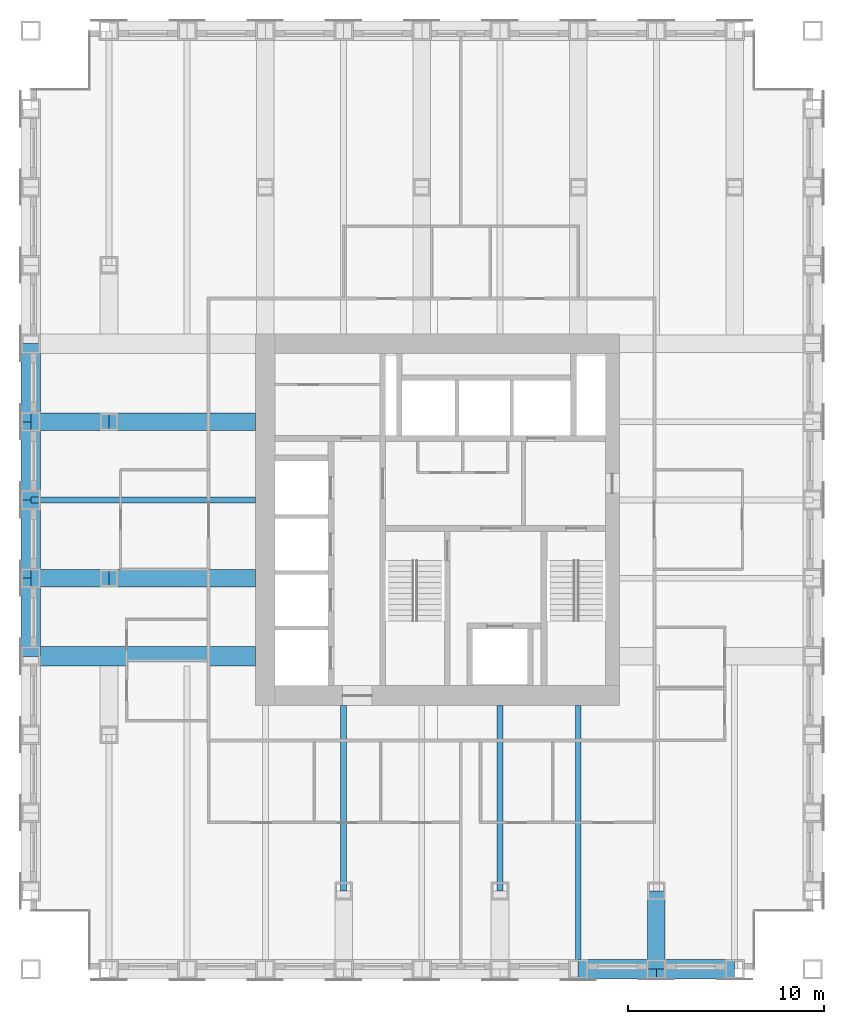
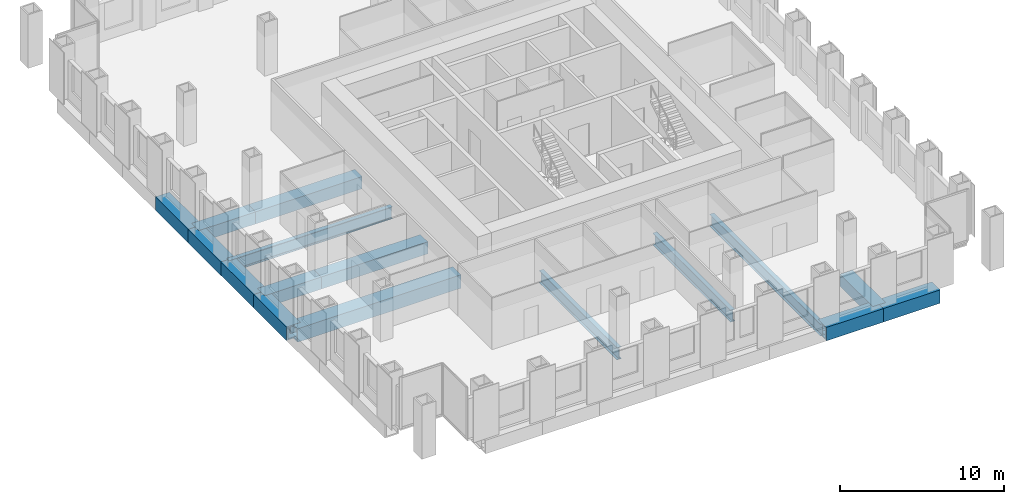
# One storey, part 3 of 12: 16 beams.
"""IFC4 building model written with IfcOpenShell, lengths in metres."""

from ifc_helpers import new_model, si_unit, direction, frame, origin, origin_2d, place, context, subcontext, project, spatial, hollow_rectangle, i_section, extrude, material, material_profile, profile_set, type_object, element, save


model = new_model("IFC4")

# Units and contexts
model_context = context("Model", 3, precision=1e-05, world=origin(), true_north=direction((0.0, 1.0)))
body_context = subcontext(model_context, "Body", "Model", "MODEL_VIEW")
ifc_project = project(units=[si_unit("LENGTHUNIT", "METRE"), si_unit("AREAUNIT", "SQUARE_METRE"), si_unit("VOLUMEUNIT", "CUBIC_METRE"), si_unit("PLANEANGLEUNIT", "RADIAN"), si_unit("MASSUNIT", "GRAM", prefix="KILO")], contexts=[model_context])

# Site, building, storey
site_placement = place(None, origin())
site = spatial("IfcSite", under=ifc_project, at=site_placement, CompositionType="ELEMENT")
building_placement = place(site_placement, origin())
building = spatial("IfcBuilding", under=site, at=building_placement, Name="Rimbunsela Tower", CompositionType="ELEMENT")
storey_placement = place(building_placement, frame((0.0, 0.0, 155.800048828125)))
storey = spatial("IfcBuildingStorey", under=building, at=storey_placement, Name="L37", CompositionType="ELEMENT", Elevation=155.800048828125)

# Beams
ifc_material_1 = material(Name="Steel BJ 55 (fy 410 MPa)", Category="steel")
ifc_material_profile_1 = material_profile(ifc_material_1, hollow_rectangle(XDim=1.0, YDim=1.0, WallThickness=0.10009765625, at=origin_2d()), Name="BOX 1000x1000x100")
ifc_profile_set_1 = profile_set([ifc_material_profile_1], Name="Steel BJ 55 (fy 410 MPa)")
beam_type_1 = type_object("IfcBeamType", Name="Beam BOX 1000x1000x100", PredefinedType="BEAM", material=ifc_profile_set_1)
beam_1_placement = place(storey_placement, frame((6.0, 20.0, -0.650146484375), z_axis=(0.0, 1.0, 0.0), x_axis=(-1.0, 0.0, 0.0)))
element("IfcBeam", 1, at=beam_1_placement, inside=storey, type_object=beam_type_1, Name="Beam B3 L37", PredefinedType="BEAM", context=body_context, shape_type="SweptSolid", body=[
    extrude(hollow_rectangle(XDim=1.0, YDim=1.0, WallThickness=0.10009765625, at=origin_2d()), origin(), (0.0, 0.0, 1.0), 4.0),
])
beam_2_placement = place(storey_placement, frame((6.0, 20.0, -0.650146484375), z_axis=(1.0, 0.0, 0.0), x_axis=(0.0, 1.0, 0.0)))
element("IfcBeam", 2, at=beam_2_placement, inside=storey, type_object=beam_type_1, Name="Beam B3 L37", PredefinedType="BEAM", context=body_context, shape_type="SweptSolid", body=[
    extrude(hollow_rectangle(XDim=1.0, YDim=1.0, WallThickness=0.10009765625, at=origin_2d()), origin(), (0.0, 0.0, 1.0), 11.5),
])
for number, where, z_axis, x_axis, name in (
    (3, (6.0, 24.0, -0.650146484375), (0.0, 1.0, 0.0), (-1.0, 0.0, 0.0), "Beam B3 L37"),
    (4, (6.0, 28.0, -0.650146484375), (0.0, 1.0, 0.0), (-1.0, 0.0, 0.0), "Beam B3 L37"),
    (5, (6.0, 32.0, -0.650146484375), (0.0, 1.0, 0.0), (-1.0, 0.0, 0.0), "Beam B3 L37"),
    (6, (34.0, 4.0, -0.650146484375), (1.0, 0.0, 0.0), (0.0, 1.0, 0.0), "Beam B3 L37"),
    (7, (38.0, 4.0, -0.650146484375), (1.0, 0.0, 0.0), (0.0, 1.0, 0.0), "Beam B3 L37"),
):
    element("IfcBeam", number, at=place(storey_placement, frame(where, z_axis=z_axis, x_axis=x_axis)), inside=storey, type_object=beam_type_1, Name=name, PredefinedType="BEAM", context=body_context, shape_type="SweptSolid", body=[
        extrude(hollow_rectangle(XDim=1.0, YDim=1.0, WallThickness=0.10009765625, at=origin_2d()), origin(), (0.0, 0.0, 1.0), 4.0),
    ])
ifc_material_2 = material(Name="Steel BJ 55 (fy 410 MPa)", Category="steel")
ifc_material_profile_2 = material_profile(ifc_material_2, hollow_rectangle(XDim=0.89990234375, YDim=0.89990234375, WallThickness=0.06005859375, at=origin_2d()), Name="BOX 900x900x60")
ifc_profile_set_2 = profile_set([ifc_material_profile_2], Name="Steel BJ 55 (fy 410 MPa)")
beam_type_2 = type_object("IfcBeamType", Name="Beam BOX 900x900x60", PredefinedType="BEAM", material=ifc_profile_set_2)
for number, where, z_axis, x_axis, name in (
    (8, (6.0, 24.0, -0.60009765625), (1.0, 0.0, 0.0), (0.0, 1.0, 0.0), "Beam B1 L37"),
    (9, (6.0, 32.0, -0.60009765625), (1.0, 0.0, 0.0), (0.0, 1.0, 0.0), "Beam B1 L37"),
):
    element("IfcBeam", number, at=place(storey_placement, frame(where, z_axis=z_axis, x_axis=x_axis)), inside=storey, type_object=beam_type_2, Name=name, PredefinedType="BEAM", context=body_context, shape_type="SweptSolid", body=[
        extrude(hollow_rectangle(XDim=0.89990234375, YDim=0.89990234375, WallThickness=0.06005859375, at=origin_2d()), origin(), (0.0, 0.0, 1.0), 4.0),
    ])
for number, where, z_axis, x_axis, name in (
    (10, (10.0, 24.0, -0.60009765625), (1.0, 0.0, 0.0), (0.0, 1.0, 0.0), "Beam B1 L37"),
    (11, (10.0, 32.0, -0.60009765625), (1.0, 0.0, 0.0), (0.0, 1.0, 0.0), "Beam B1 L37"),
):
    element("IfcBeam", number, at=place(storey_placement, frame(where, z_axis=z_axis, x_axis=x_axis)), inside=storey, type_object=beam_type_2, Name=name, PredefinedType="BEAM", context=body_context, shape_type="SweptSolid", body=[
        extrude(hollow_rectangle(XDim=0.89990234375, YDim=0.89990234375, WallThickness=0.06005859375, at=origin_2d()), origin(), (0.0, 0.0, 1.0), 7.5),
    ])
beam_3_placement = place(storey_placement, frame((38.0, 4.0, -0.60009765625), z_axis=(0.0, 1.0, 0.0), x_axis=(-1.0, 0.0, 0.0)))
element("IfcBeam", 12, at=beam_3_placement, inside=storey, type_object=beam_type_2, Name="Beam B1 L37", PredefinedType="BEAM", context=body_context, shape_type="SweptSolid", body=[
    extrude(hollow_rectangle(XDim=0.89990234375, YDim=0.89990234375, WallThickness=0.06005859375, at=origin_2d()), origin(), (0.0, 0.0, 1.0), 4.0),
])
ifc_material_3 = material(Name="Steel BJ 55 (fy 410 MPa)", Category="steel")
ifc_material_profile_3 = material_profile(ifc_material_3, i_section(OverallWidth=0.300048828125, OverallDepth=0.89990234375, WebThickness=0.01611328125, FlangeThickness=0.028076171875, FilletRadius=0.028076171875, at=origin_2d()), Name="H 900x300x16x28")
ifc_profile_set_3 = profile_set([ifc_material_profile_3], Name="Steel BJ 55 (fy 410 MPa)")
beam_type_3 = type_object("IfcBeamType", Name="Beam H 900x300x16x28", PredefinedType="BEAM", material=ifc_profile_set_3)
beam_4_placement = place(storey_placement, frame((6.0, 28.0, -0.60009765625), z_axis=(1.0, 0.0, 0.0), x_axis=(0.0, 1.0, 0.0)))
element("IfcBeam", 13, at=beam_4_placement, inside=storey, type_object=beam_type_3, Name="Beam B2 L37", PredefinedType="BEAM", context=body_context, shape_type="SweptSolid", body=[
    extrude(i_section(OverallWidth=0.300048828125, OverallDepth=0.89990234375, WebThickness=0.01611328125, FlangeThickness=0.028076171875, FilletRadius=0.028076171875, at=origin_2d()), origin(), (0.0, 0.0, 1.0), 11.5),
])
for number, where, z_axis, x_axis, name in (
    (14, (22.0, 8.0, -0.60009765625), (0.0, 1.0, 0.0), (-1.0, 0.0, 0.0), "Beam B2 L37"),
    (15, (30.0, 8.0, -0.60009765625), (0.0, 1.0, 0.0), (-1.0, 0.0, 0.0), "Beam B2 L37"),
):
    element("IfcBeam", number, at=place(storey_placement, frame(where, z_axis=z_axis, x_axis=x_axis)), inside=storey, type_object=beam_type_3, Name=name, PredefinedType="BEAM", context=body_context, shape_type="SweptSolid", body=[
        extrude(i_section(OverallWidth=0.300048828125, OverallDepth=0.89990234375, WebThickness=0.01611328125, FlangeThickness=0.028076171875, FilletRadius=0.028076171875, at=origin_2d()), origin(), (0.0, 0.0, 1.0), 9.5),
    ])
beam_5_placement = place(storey_placement, frame((34.0, 4.0, -0.60009765625), z_axis=(0.0, 1.0, 0.0), x_axis=(-1.0, 0.0, 0.0)))
element("IfcBeam", 16, at=beam_5_placement, inside=storey, type_object=beam_type_3, Name="Beam B2 L37", PredefinedType="BEAM", context=body_context, shape_type="SweptSolid", body=[
    extrude(i_section(OverallWidth=0.300048828125, OverallDepth=0.89990234375, WebThickness=0.01611328125, FlangeThickness=0.028076171875, FilletRadius=0.028076171875, at=origin_2d()), origin(), (0.0, 0.0, 1.0), 13.5),
])

save(model, "model.ifc")
